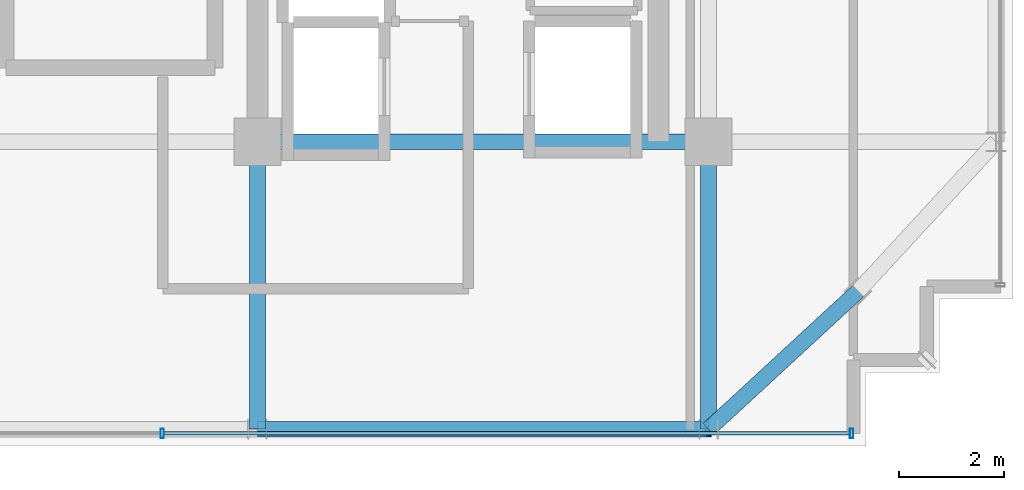
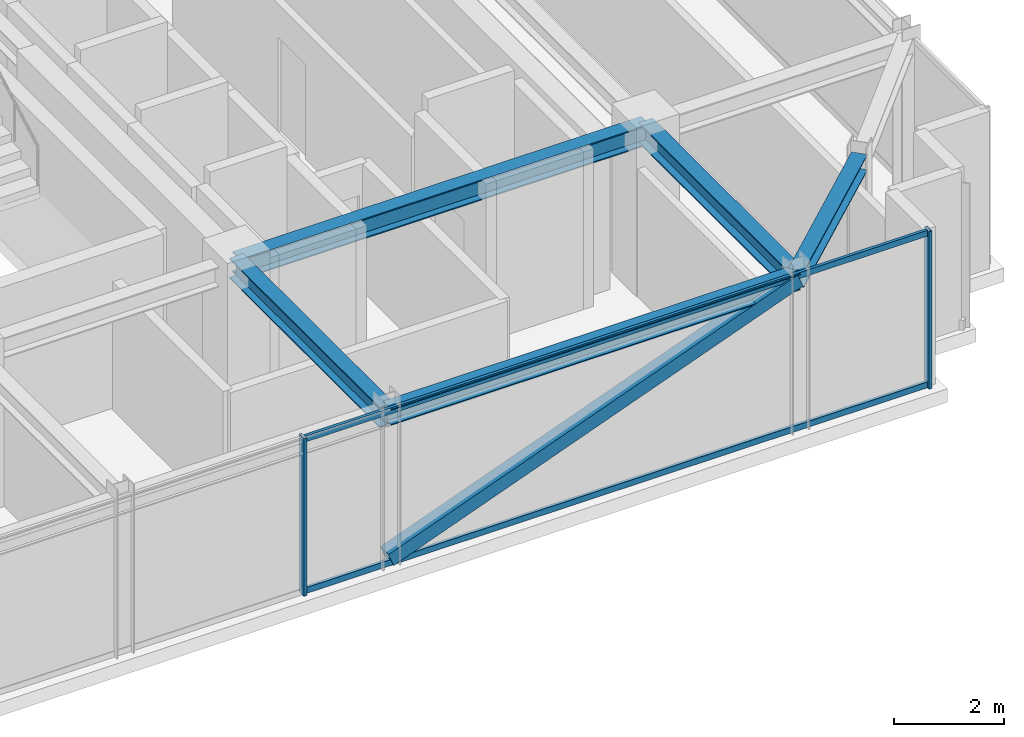
# One storey, part 12 of 36: 5 beams, 5 members, 1 element without a shape of its own.
"""IFC4 building model written with IfcOpenShell, lengths in metres."""

from ifc_helpers import new_model, si_unit, direction, frame, origin, origin_2d, place, context, subcontext, project, spatial, hollow_rectangle, i_section, extrude, source, transform, mapped, material, material_profile, profile_set, type_object, element, aggregate, save


model = new_model("IFC4")

# Units and contexts
model_context = context("Model", 3, precision=1e-05, world=origin(), true_north=direction((0.0, 1.0)))
body_context = subcontext(model_context, "Body", "Model", "MODEL_VIEW")
ifc_project = project(units=[si_unit("LENGTHUNIT", "METRE"), si_unit("AREAUNIT", "SQUARE_METRE"), si_unit("VOLUMEUNIT", "CUBIC_METRE"), si_unit("PLANEANGLEUNIT", "RADIAN"), si_unit("MASSUNIT", "GRAM", prefix="KILO")], contexts=[model_context])

# Site, building, storey
site_placement = place(None, origin())
site = spatial("IfcSite", under=ifc_project, at=site_placement, CompositionType="ELEMENT")
building_placement = place(site_placement, origin())
building = spatial("IfcBuilding", under=site, at=building_placement, Name="Nahalor Promenade Grand Hotel", CompositionType="ELEMENT")
storey_placement = place(building_placement, frame((0.0, 0.0, 319.550048828125)))
storey = spatial("IfcBuildingStorey", under=building, at=storey_placement, Name="L82", CompositionType="ELEMENT", Elevation=319.550048828125)

# Beams
ifc_material_1 = material(Name="Steel S355JR", Category="steel")
ifc_material_profile_1 = material_profile(ifc_material_1, i_section(OverallWidth=0.3, OverallDepth=0.45, WebThickness=0.014, FlangeThickness=0.026, at=origin_2d()), Name="HEB 450")
ifc_profile_set_1 = profile_set([ifc_material_profile_1], Name="Steel S355JR")
beam_type_1 = type_object("IfcBeamType", Name="Beam-Girder-HEB450", PredefinedType="BEAM", material=ifc_profile_set_1)
shared_shape_1 = source(origin(), body_context, "Body", "SweptSolid", [
    extrude(i_section(OverallWidth=0.3, OverallDepth=0.45, WebThickness=0.014, FlangeThickness=0.026, at=origin_2d()), origin(), (0.0, 0.0, 1.0), 8.60009765625),
])
beam_1_placement = place(storey_placement, frame((8.39990234375, -17.0, 3.27490234375), z_axis=(1.0, 0.0, 0.0), x_axis=(0.0, 1.0, 0.0)))
element("IfcBeam", 1, at=beam_1_placement, inside=storey, type_object=beam_type_1, Name="BM-L82-GX-0-5", PredefinedType="BEAM", context=body_context, shape_type="MappedRepresentation", body=[
    mapped(shared_shape_1, transform((0.0, 0.0, 0.0), scale=1.0)),
])
shared_shape_2 = source(origin(), body_context, "Body", "SweptSolid", [
    extrude(i_section(OverallWidth=0.3, OverallDepth=0.45, WebThickness=0.014, FlangeThickness=0.026, at=origin_2d()), origin(), (0.0, 0.0, 1.0), 5.47998046875),
])
for number, where, z_axis, x_axis, name in (
    (2, (8.39990234375, -22.47998046875, 3.27490234375), (0.0, 1.0, 0.0), (-1.0, 0.0, 0.0), "BM-L82-GY-4-0"),
    (3, (17.0, -22.47998046875, 3.27490234375), (0.0, 1.0, 0.0), (-1.0, 0.0, 0.0), "BM-L82-GY-5-0"),
):
    element("IfcBeam", number, at=place(storey_placement, frame(where, z_axis=z_axis, x_axis=x_axis)), inside=storey, type_object=beam_type_1, Name=name, PredefinedType="BEAM", context=body_context, shape_type="MappedRepresentation", body=[
        mapped(shared_shape_2, transform((0.0, 0.0, 0.0), scale=1.0)),
    ])
ifc_material_profile_2 = material_profile(ifc_material_1, i_section(OverallWidth=0.3, OverallDepth=0.36, WebThickness=0.0125, FlangeThickness=0.0225, at=origin_2d()), Name="HEB 360")
ifc_profile_set_2 = profile_set([ifc_material_profile_2], Name="Steel S355JR")
beam_type_2 = type_object("IfcBeamType", Name="Beam-Spandrel-HEB360", PredefinedType="SPANDREL", material=ifc_profile_set_2)
shared_shape_3 = source(origin(), body_context, "Body", "SweptSolid", [
    extrude(i_section(OverallWidth=0.3, OverallDepth=0.36, WebThickness=0.0125, FlangeThickness=0.0225, at=origin_2d()), origin(), (0.0, 0.0, 1.0), 8.60009765625),
])
beam_2_placement = place(storey_placement, frame((8.39990234375, -22.47998046875, 3.320068359375), z_axis=(1.0, 0.0, 0.0), x_axis=(0.0, 1.0, 0.0)))
element("IfcBeam", 4, at=beam_2_placement, inside=storey, type_object=beam_type_2, Name="BM-L82-SP-S-4", PredefinedType="SPANDREL", context=body_context, shape_type="MappedRepresentation", body=[
    mapped(shared_shape_3, transform((0.0, 0.0, 0.0), scale=1.0)),
])
shared_shape_4 = source(origin(), body_context, "Body", "SweptSolid", [
    extrude(i_section(OverallWidth=0.3, OverallDepth=0.36, WebThickness=0.0125, FlangeThickness=0.0225, at=origin_2d()), origin(), (0.0, 0.0, 1.0), 3.878173828125),
])
beam_3_placement = place(storey_placement, frame((17.0, -22.47998046875, 3.320068359375), z_axis=(0.73492893846, 0.678144125843, 0.0), x_axis=(-0.678144125843, 0.73492893846, 0.0)))
element("IfcBeam", 5, at=beam_3_placement, inside=storey, type_object=beam_type_2, Name="BM-L82-SPC-SE-1", PredefinedType="SPANDREL", context=body_context, shape_type="MappedRepresentation", body=[
    mapped(shared_shape_4, transform((0.0, 0.0, 0.0), scale=1.0)),
])

# Member
ifc_material_profile_3 = material_profile(ifc_material_1, hollow_rectangle(XDim=0.3, YDim=0.3, WallThickness=0.016, at=origin_2d()), Name="SHS 300x300x16")
ifc_profile_set_3 = profile_set([ifc_material_profile_3], Name="Steel S355JR")
member_type_1 = type_object("IfcMemberType", Name="Mem-CrownBrace-SHS300", PredefinedType="BRACE", material=ifc_profile_set_3)
shared_shape_5 = source(origin(), body_context, "Body", "SweptSolid", [
    extrude(hollow_rectangle(XDim=0.3, YDim=0.3, WallThickness=0.016, at=origin_2d()), origin(), (0.0, 0.0, 1.0), 9.176025390625),
])
member_1_placement = place(storey_placement, frame((8.39990234375, -22.47998046875, 0.14990234375), z_axis=(0.937224884492, 0.0, 0.348725559559), x_axis=(0.0, 1.0, 0.0)))
element("IfcMember", 6, at=member_1_placement, inside=storey, type_object=member_type_1, Name="EXO-L82-S-1", PredefinedType="BRACE", context=body_context, shape_type="MappedRepresentation", body=[
    mapped(shared_shape_5, transform((0.0, 0.0, 0.0), scale=1.0)),
])

# Curtain wall, members
ifc_material_2 = material(Name="Anodised Bronze Aluminium EN AW-6063 T6", Category="aluminium")
curtain_wall_type = type_object("IfcCurtainWallType", Name="CW2 Typical Hotel Flush Bronze Unitised Curtain Wall", PredefinedType="USERDEFINED", material=ifc_material_2)
curtain_wall_placement = place(storey_placement, origin())
curtain_wall = element("IfcCurtainWall", 7, at=curtain_wall_placement, inside=storey, type_object=curtain_wall_type, Name="L82 Curtain Wall CW-L82-S-1", ObjectType="UNITISED_CURTAIN_WALL", PredefinedType="USERDEFINED")
ifc_material_profile_4 = material_profile(ifc_material_2, hollow_rectangle(XDim=0.065, YDim=0.13, WallThickness=0.004, at=origin_2d()), Name="CWT 65x130x4")
ifc_profile_set_4 = profile_set([ifc_material_profile_4], Name="Anodised Bronze Aluminium EN AW-6063 T6")
member_type_2 = type_object("IfcMemberType", Name="CWT2 Typical Bronze Transom 65x130", PredefinedType="USERDEFINED", material=ifc_profile_set_4)
shared_shape_6 = source(origin(), body_context, "Body", "SweptSolid", [
    extrude(hollow_rectangle(XDim=0.065, YDim=0.13, WallThickness=0.004, at=origin_2d()), origin(), (0.0, 0.0, 1.0), 13.075927734375),
])
member_2_placement = place(storey_placement, frame((6.619140625, -22.56005859375, 0.06494140625), z_axis=(1.0, 0.0, 0.0), x_axis=(0.0, 1.0, 0.0)))
member_2 = element("IfcMember", 8, at=member_2_placement, type_object=member_type_2, Name="CW-L82-S-1 Transom 2-0", ObjectType="TRANSOM", PredefinedType="USERDEFINED", context=body_context, shape_type="MappedRepresentation", body=[
    mapped(shared_shape_6, transform((0.0, 0.0, 0.0), scale=1.0)),
])
member_3_placement = place(storey_placement, frame((6.619140625, -22.56005859375, 3.43505859375), z_axis=(1.0, 0.0, 0.0), x_axis=(0.0, 1.0, 0.0)))
member_3 = element("IfcMember", 9, at=member_3_placement, type_object=member_type_2, Name="CW-L82-S-1 Transom 2-1", ObjectType="TRANSOM", PredefinedType="USERDEFINED", context=body_context, shape_type="MappedRepresentation", body=[
    mapped(shared_shape_6, transform((0.0, 0.0, 0.0), scale=1.0)),
])
ifc_material_profile_5 = material_profile(ifc_material_2, hollow_rectangle(XDim=0.065, YDim=0.18, WallThickness=0.004, at=origin_2d()), Name="CWM 65x180x4")
ifc_profile_set_5 = profile_set([ifc_material_profile_5], Name="Anodised Bronze Aluminium EN AW-6063 T6")
member_type_3 = type_object("IfcMemberType", Name="CWM2 Typical Bronze Mullion 65x180", PredefinedType="MULLION", material=ifc_profile_set_5)
shared_shape_7 = source(origin(), body_context, "Body", "SweptSolid", [
    extrude(hollow_rectangle(XDim=0.065, YDim=0.18, WallThickness=0.004, at=origin_2d()), origin(), (0.0, 0.0, 1.0), 3.5),
])
member_4_placement = place(storey_placement, frame((6.586669921875, -22.56005859375, 0.0), z_axis=(0.0, 0.0, 1.0), x_axis=(1.0, 0.0, 0.0)))
member_4 = element("IfcMember", 10, at=member_4_placement, type_object=member_type_3, Name="CW-L82-S-1 Mullion 2", PredefinedType="MULLION", context=body_context, shape_type="MappedRepresentation", body=[
    mapped(shared_shape_7, transform((0.0, 0.0, 0.0), scale=1.0)),
])
member_5_placement = place(storey_placement, frame((19.7275390625, -22.56005859375, 0.0), z_axis=(0.0, 0.0, 1.0), x_axis=(1.0, 0.0, 0.0)))
member_5 = element("IfcMember", 11, at=member_5_placement, type_object=member_type_3, Name="CW-L82-S-1 Mullion 3", PredefinedType="MULLION", context=body_context, shape_type="MappedRepresentation", body=[
    mapped(shared_shape_7, transform((0.0, 0.0, 0.0), scale=1.0)),
])
aggregate(curtain_wall, [member_4, member_5, member_2, member_3])

save(model, "model.ifc")
